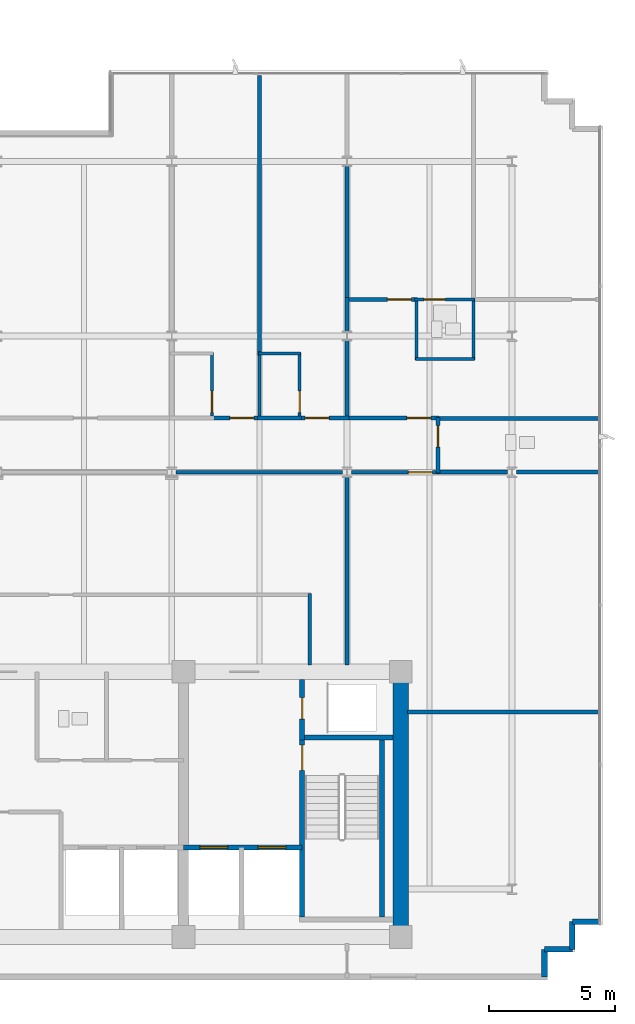
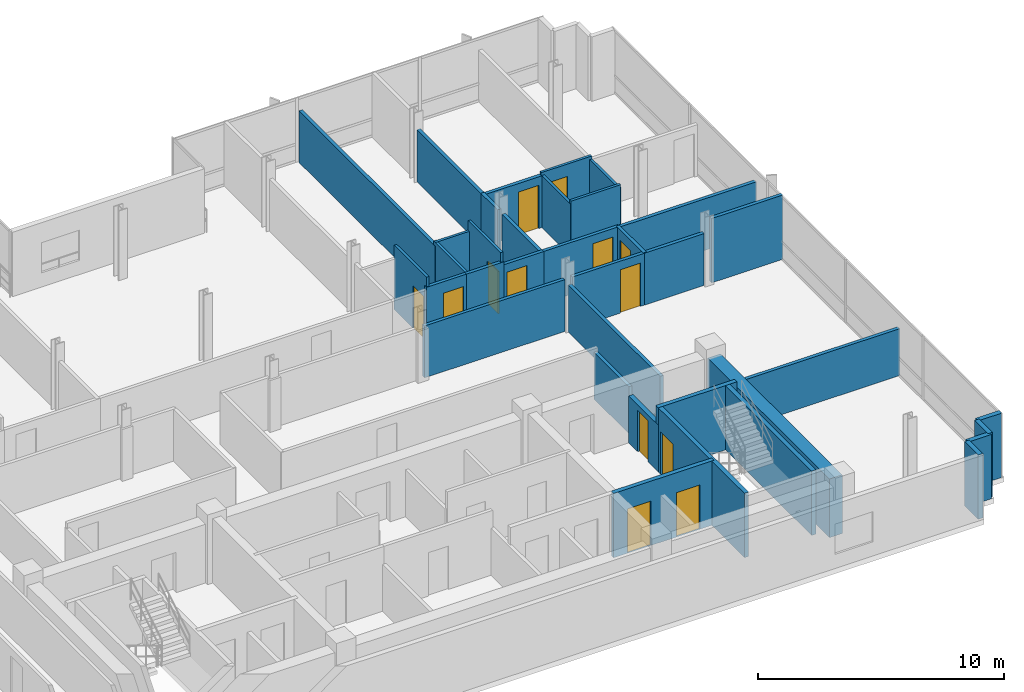
# One storey, part 13 of 17: 36 walls, 13 doors, 13 openings.
"""IFC4 building model written with IfcOpenShell, lengths in metres."""

from ifc_helpers import new_model, si_unit, direction, frame, frame_2d, origin, place, context, subcontext, project, spatial, rectangle, extrude, material, layer, layer_set, type_object, element, fill, save


model = new_model("IFC4")

# Units and contexts
model_context = context("Model", 3, precision=1e-05, world=origin(), true_north=direction((0.0, 1.0)))
body_context = subcontext(model_context, "Body", "Model", "MODEL_VIEW")
ifc_project = project(units=[si_unit("LENGTHUNIT", "METRE"), si_unit("AREAUNIT", "SQUARE_METRE"), si_unit("VOLUMEUNIT", "CUBIC_METRE"), si_unit("PLANEANGLEUNIT", "RADIAN"), si_unit("MASSUNIT", "GRAM", prefix="KILO")], contexts=[model_context])

# Site, building, storey
site_placement = place(None, origin())
site = spatial("IfcSite", under=ifc_project, at=site_placement, CompositionType="ELEMENT")
building_placement = place(site_placement, origin())
building = spatial("IfcBuilding", under=site, at=building_placement, Name="Solmavex Isthmus Hotel", CompositionType="ELEMENT")
storey_placement = place(building_placement, frame((0.0, 0.0, 269.550048828125)))
storey = spatial("IfcBuildingStorey", under=building, at=storey_placement, Name="L73", CompositionType="ELEMENT", Elevation=269.550048828125)

# Walls
ifc_material_1 = material(Name="Precast Concrete C40/50", Category="concrete")
ifc_layer_1 = layer(ifc_material_1, 0.25)
ifc_layer_set_1 = layer_set([ifc_layer_1], Name="Precast Concrete C40/50")
wall_type_1 = type_object("IfcWallType", Name="EW-TWR-250", PredefinedType="STANDARD", material=ifc_layer_set_1)
wall_1_placement = place(storey_placement, frame((23.889892578125, -12.389892578125, 0.0), z_axis=(0.0, 0.0, 1.0), x_axis=(-1.0, 0.0, 0.0)))
element("IfcWall", 1, at=wall_1_placement, inside=storey, type_object=wall_type_1, Name="Serrated Corner Facade Panel L73-16", PredefinedType="STANDARD", context=body_context, shape_type="SweptSolid", body=[
    extrude(rectangle(XDim=1.099853515625, YDim=0.219970703125, at=frame_2d((0.5498046875, 0.0))), origin(), (0.0, 0.0, 1.0), 3.18994140625),
])
for number, where, z_axis, x_axis, name in (
    (2, (22.7900390625, -12.389892578125, 0.0), (0.0, 0.0, 1.0), (0.0, -1.0, 0.0), "Serrated Corner Facade Panel L73-17"),
    (3, (22.7900390625, -13.489990234375, 0.0), (0.0, 0.0, 1.0), (-1.0, 0.0, 0.0), "Serrated Corner Facade Panel L73-18"),
    (4, (21.68994140625, -13.489990234375, 0.0), (0.0, 0.0, 1.0), (0.0, -1.0, 0.0), "Serrated Corner Facade Panel L73-19"),
):
    element("IfcWall", number, at=place(storey_placement, frame(where, z_axis=z_axis, x_axis=x_axis)), inside=storey, type_object=wall_type_1, Name=name, PredefinedType="STANDARD", context=body_context, shape_type="SweptSolid", body=[
        extrude(rectangle(XDim=1.10009765625, YDim=0.219970703125, at=frame_2d((0.550048828125, 0.0))), origin(), (0.0, 0.0, 1.0), 3.18994140625),
    ])
ifc_material_2 = material(Name="Gypsum plasterboard lining", Category="gypsum")
ifc_layer_2 = layer(ifc_material_2, 0.159912109375)
ifc_layer_set_2 = layer_set([ifc_layer_2], Name="Gypsum plasterboard lining")
wall_type_2 = type_object("IfcWallType", Name="IW-COMP-160", PredefinedType="PARTITIONING", material=ifc_layer_set_2)
wall_2_placement = place(storey_placement, frame((10.404052734375, 21.10009765625, 0.0), z_axis=(0.0, 0.0, 1.0), x_axis=(0.0, -1.0, 0.0)))
element("IfcWall", 5, at=wall_2_placement, inside=storey, type_object=wall_type_2, Name="Interior Partition Wall W-L73-P047", PredefinedType="PARTITIONING", context=body_context, shape_type="SweptSolid", body=[
    extrude(rectangle(XDim=11.08203125, YDim=0.159912109375, at=frame_2d((5.541015625, 0.0))), origin(), (0.0, 0.0, 1.0), 2.557373046875),
])
wall_3_placement = place(storey_placement, frame((13.8720703125, 10.613037109375, 0.0), z_axis=(0.0, 0.0, 1.0), x_axis=(0.0, -1.0, 0.0)))
element("IfcWall", 6, at=wall_3_placement, inside=storey, type_object=wall_type_2, Name="Interior Partition Wall W-L73-P051", PredefinedType="PARTITIONING", context=body_context, shape_type="SweptSolid", body=[
    extrude(rectangle(XDim=3.10302734375, YDim=0.159912109375, at=frame_2d((1.551513671875, 0.0))), origin(), (0.0, 0.0, 1.0), 2.572265625),
])
wall_4_placement = place(storey_placement, frame((13.8720703125, 12.320068359375, 0.0), z_axis=(0.0, 0.0, 1.0), x_axis=(0.0, -1.0, 0.0)))
element("IfcWall", 7, at=wall_4_placement, inside=storey, type_object=wall_type_2, Name="Interior Partition Wall W-L73-P052", PredefinedType="PARTITIONING", context=body_context, shape_type="SweptSolid", body=[
    extrude(rectangle(XDim=1.357177734375, YDim=0.159912109375, at=frame_2d((0.6787109375, 0.0))), origin(), (0.0, 0.0, 1.0), 2.572265625),
])
wall_5_placement = place(storey_placement, frame((13.8720703125, 17.52490234375, 0.0), z_axis=(0.0, 0.0, 1.0), x_axis=(0.0, -1.0, 0.0)))
element("IfcWall", 8, at=wall_5_placement, inside=storey, type_object=wall_type_2, Name="Interior Partition Wall W-L73-P053", PredefinedType="PARTITIONING", context=body_context, shape_type="SweptSolid", body=[
    extrude(rectangle(XDim=5.368896484375, YDim=0.159912109375, at=frame_2d((2.6845703125, 0.0))), origin(), (0.0, 0.0, 1.0), 2.572265625),
])

# Wall, opening, door
wall_6_placement = place(storey_placement, frame((13.83203125, 12.238037109375, 0.0), z_axis=(0.0, 0.0, 1.0), x_axis=(1.0, 0.0, 0.0)))
wall_6 = element("IfcWall", 9, at=wall_6_placement, inside=storey, type_object=wall_type_2, Name="Interior Partition Wall W-L73-P055", PredefinedType="PARTITIONING", context=body_context, shape_type="SweptSolid", body=[
    extrude(rectangle(XDim=2.833984375, YDim=0.159912109375, at=frame_2d((1.4169921875, 0.0))), origin(), (0.0, 0.0, 1.0), 2.572265625),
])
opening_1_placement = place(wall_6_placement, frame((1.635986328125, 0.0, 0.0)))
opening_1 = element("IfcOpeningElement", 10, at=opening_1_placement, cuts=wall_6, Name="Opening ID-C095", PredefinedType="OPENING", context=body_context, shape_type="SweptSolid", body=[
    extrude(rectangle(XDim=0.949951171875, YDim=2.14990234375, at=frame_2d((0.47509765625, 1.074951171875))), frame((0.0, 0.08984375, 0.0), z_axis=(0.0, -1.0, 0.0), x_axis=(1.0, 0.0, 0.0)), (0.0, 0.0, 1.0), 0.179931640625),
])
ifc_material_3 = material(Name="Hardwood timber", Category="wood")
door_type_1 = type_object("IfcDoorType", Name="IDR-FD60-0950", OperationType="NOTDEFINED", PredefinedType="DOOR", material=ifc_material_3)
door_1_placement = place(opening_1_placement, origin())
door_1 = element("IfcDoor", 11, at=door_1_placement, inside=storey, type_object=door_type_1, Name="Ambassador Panorama Suite Master Bedroom Door L73-10", OperationType="SINGLE_SWING_RIGHT", OverallHeight=2.14990234375, OverallWidth=0.949951171875, PredefinedType="DOOR", context=body_context, shape_type="SweptSolid", body=[
    extrude(rectangle(XDim=0.949951171875, YDim=2.14990234375, at=frame_2d((0.47509765625, 1.074951171875))), frame((0.0, 0.02490234375, 0.0), z_axis=(0.0, -1.0, 0.0), x_axis=(1.0, 0.0, 0.0)), (0.0, 0.0, 1.0), 0.050048828125),
])
fill(opening_1, door_1)

# Walls
wall_7_placement = place(storey_placement, frame((23.919921875, 7.530029296875, 0.0), z_axis=(0.0, 0.0, 1.0), x_axis=(-1.0, 0.0, 0.0)))
element("IfcWall", 12, at=wall_7_placement, inside=storey, type_object=wall_type_2, Name="Interior Partition Wall W-L73-P060", PredefinedType="PARTITIONING", context=body_context, shape_type="SweptSolid", body=[
    extrude(rectangle(XDim=6.488037109375, YDim=0.159912109375, at=frame_2d((3.244140625, 0.0))), origin(), (0.0, 0.0, 1.0), 2.557373046875),
])
wall_8_placement = place(storey_placement, frame((20.22509765625, 5.39990234375, 0.0), z_axis=(0.0, 0.0, 1.0), x_axis=(-1.0, 0.0, 0.0)))
element("IfcWall", 13, at=wall_8_placement, inside=storey, type_object=wall_type_2, Name="Interior Partition Wall W-L73-P065", PredefinedType="PARTITIONING", context=body_context, shape_type="SweptSolid", body=[
    extrude(rectangle(XDim=2.793212890625, YDim=0.159912109375, at=frame_2d((1.396484375, 0.0))), origin(), (0.0, 0.0, 1.0), 2.572265625),
])
wall_9_placement = place(storey_placement, frame((23.919921875, 5.39990234375, 0.0), z_axis=(0.0, 0.0, 1.0), x_axis=(-1.0, 0.0, 0.0)))
element("IfcWall", 14, at=wall_9_placement, inside=storey, type_object=wall_type_2, Name="Interior Partition Wall W-L73-P066", PredefinedType="PARTITIONING", context=body_context, shape_type="SweptSolid", body=[
    extrude(rectangle(XDim=3.344970703125, YDim=0.159912109375, at=frame_2d((1.67236328125, 0.0))), origin(), (0.0, 0.0, 1.0), 3.18994140625),
])
wall_10_placement = place(storey_placement, frame((16.260009765625, -4.10009765625, 0.0), z_axis=(0.0, 0.0, 1.0), x_axis=(1.0, 0.0, 0.0)))
element("IfcWall", 15, at=wall_10_placement, inside=storey, type_object=wall_type_2, Name="Interior Partition Wall W-L73-P072", PredefinedType="PARTITIONING", context=body_context, shape_type="SweptSolid", body=[
    extrude(rectangle(XDim=7.659912109375, YDim=0.159912109375, at=frame_2d((3.830078125, 0.0))), origin(), (0.0, 0.0, 1.0), 2.324951171875),
])
wall_11_placement = place(storey_placement, frame((13.8720703125, 5.22509765625, 0.0), z_axis=(0.0, 0.0, 1.0), x_axis=(0.0, -1.0, 0.0)))
element("IfcWall", 16, at=wall_11_placement, inside=storey, type_object=wall_type_2, Name="Interior Partition Wall W-L73-P073", PredefinedType="PARTITIONING", context=body_context, shape_type="SweptSolid", body=[
    extrude(rectangle(XDim=7.465087890625, YDim=0.159912109375, at=frame_2d((3.732421875, 0.0))), origin(), (0.0, 0.0, 1.0), 2.324951171875),
])

# Wall, opening, door
ifc_layer_3 = layer(ifc_material_2, 0.14990234375)
ifc_layer_set_3 = layer_set([ifc_layer_3], Name="Gypsum plasterboard lining")
wall_type_3 = type_object("IfcWallType", Name="IW-CORR-150", PredefinedType="PARTITIONING", material=ifc_layer_set_3)
wall_12_placement = place(storey_placement, frame((8.44921875, 7.550048828125, 0.0), z_axis=(0.0, 0.0, 1.0), x_axis=(1.0, 0.0, 0.0)))
wall_12 = element("IfcWall", 17, at=wall_12_placement, inside=storey, type_object=wall_type_3, Name="Interior Partition Wall W-L73-P005", PredefinedType="PARTITIONING", context=body_context, shape_type="SweptSolid", body=[
    extrude(rectangle(XDim=2.036865234375, YDim=0.14990234375, at=frame_2d((1.0185546875, 0.0))), origin(), (0.0, 0.0, 1.0), 2.718017578125),
])
opening_2_placement = place(wall_12_placement, frame((0.789794921875, 0.0, 0.0)))
opening_2 = element("IfcOpeningElement", 18, at=opening_2_placement, cuts=wall_12, Name="Opening ID-C095", PredefinedType="OPENING", context=body_context, shape_type="SweptSolid", body=[
    extrude(rectangle(XDim=0.949951171875, YDim=2.14990234375, at=frame_2d((0.47509765625, 1.074951171875))), frame((0.0, 0.0849609375, 0.0), z_axis=(0.0, -1.0, 0.0), x_axis=(1.0, 0.0, 0.0)), (0.0, 0.0, 1.0), 0.169921875),
])
door_2_placement = place(opening_2_placement, origin())
door_2 = element("IfcDoor", 19, at=door_2_placement, inside=storey, type_object=door_type_1, Name="Diplomatic Suite Door L73-05", OperationType="SINGLE_SWING_LEFT", OverallHeight=2.14990234375, OverallWidth=0.949951171875, PredefinedType="DOOR", context=body_context, shape_type="SweptSolid", body=[
    extrude(rectangle(XDim=0.949951171875, YDim=2.14990234375, at=frame_2d((0.47509765625, 1.074951171875))), frame((0.0, 0.02490234375, 0.0), z_axis=(0.0, -1.0, 0.0), x_axis=(1.0, 0.0, 0.0)), (0.0, 0.0, 1.0), 0.050048828125),
])
fill(opening_2, door_2)

wall_13_placement = place(storey_placement, frame((11.917236328125, 7.550048828125, 0.0), z_axis=(0.0, 0.0, 1.0), x_axis=(1.0, 0.0, 0.0)))
wall_13 = element("IfcWall", 20, at=wall_13_placement, inside=storey, type_object=wall_type_3, Name="Interior Partition Wall W-L73-P007", PredefinedType="PARTITIONING", context=body_context, shape_type="SweptSolid", body=[
    extrude(rectangle(XDim=2.036865234375, YDim=0.14990234375, at=frame_2d((1.0185546875, 0.0))), origin(), (0.0, 0.0, 1.0), 2.572265625),
])
opening_3_placement = place(wall_13_placement, frame((0.296875, 0.0, 0.0)))
opening_3 = element("IfcOpeningElement", 21, at=opening_3_placement, cuts=wall_13, Name="Opening ID-C095", PredefinedType="OPENING", context=body_context, shape_type="SweptSolid", body=[
    extrude(rectangle(XDim=0.949951171875, YDim=2.14990234375, at=frame_2d((0.47509765625, 1.074951171875))), frame((0.0, 0.0849609375, 0.0), z_axis=(0.0, -1.0, 0.0), x_axis=(1.0, 0.0, 0.0)), (0.0, 0.0, 1.0), 0.169921875),
])
door_3_placement = place(opening_3_placement, origin())
door_3 = element("IfcDoor", 22, at=door_3_placement, inside=storey, type_object=door_type_1, Name="Ambassador Suite Door L73-07", OperationType="SINGLE_SWING_LEFT", OverallHeight=2.14990234375, OverallWidth=0.949951171875, PredefinedType="DOOR", context=body_context, shape_type="SweptSolid", body=[
    extrude(rectangle(XDim=0.949951171875, YDim=2.14990234375, at=frame_2d((0.47509765625, 1.074951171875))), frame((0.0, 0.02490234375, 0.0), z_axis=(0.0, -1.0, 0.0), x_axis=(1.0, 0.0, 0.0)), (0.0, 0.0, 1.0), 0.050048828125),
])
fill(opening_3, door_3)

# Wall
wall_14_placement = place(storey_placement, frame((10.322021484375, 7.550048828125, 0.0), z_axis=(0.0, 0.0, 1.0), x_axis=(1.0, 0.0, 0.0)))
element("IfcWall", 23, at=wall_14_placement, inside=storey, type_object=wall_type_3, Name="Interior Partition Wall W-L73-P008", PredefinedType="PARTITIONING", context=body_context, shape_type="SweptSolid", body=[
    extrude(rectangle(XDim=1.75927734375, YDim=0.14990234375, at=frame_2d((0.879638671875, 0.0))), origin(), (0.0, 0.0, 1.0), 2.718017578125),
])

# Wall, opening, door
wall_15_placement = place(storey_placement, frame((13.7900390625, 7.550048828125, 0.0), z_axis=(0.0, 0.0, 1.0), x_axis=(1.0, 0.0, 0.0)))
wall_15 = element("IfcWall", 24, at=wall_15_placement, inside=storey, type_object=wall_type_3, Name="Interior Partition Wall W-L73-P009", PredefinedType="PARTITIONING", context=body_context, shape_type="SweptSolid", body=[
    extrude(rectangle(XDim=3.721923828125, YDim=0.14990234375, at=frame_2d((1.86083984375, 0.0))), origin(), (0.0, 0.0, 1.0), 2.572265625),
])
opening_4_placement = place(wall_15_placement, frame((2.456787109375, 0.0, 0.0)))
opening_4 = element("IfcOpeningElement", 25, at=opening_4_placement, cuts=wall_15, Name="Opening ID-C095", PredefinedType="OPENING", context=body_context, shape_type="SweptSolid", body=[
    extrude(rectangle(XDim=0.949951171875, YDim=2.14990234375, at=frame_2d((0.47509765625, 1.074951171875))), frame((0.0, 0.0849609375, 0.0), z_axis=(0.0, -1.0, 0.0), x_axis=(1.0, 0.0, 0.0)), (0.0, 0.0, 1.0), 0.169921875),
])
door_4_placement = place(opening_4_placement, origin())
door_4 = element("IfcDoor", 26, at=door_4_placement, inside=storey, type_object=door_type_1, Name="Ambassador Panorama Suite Living Salon Door L73-09", OperationType="SINGLE_SWING_LEFT", OverallHeight=2.14990234375, OverallWidth=0.949951171875, PredefinedType="DOOR", context=body_context, shape_type="SweptSolid", body=[
    extrude(rectangle(XDim=0.949951171875, YDim=2.14990234375, at=frame_2d((0.47509765625, 1.074951171875))), frame((0.0, 0.02490234375, 0.0), z_axis=(0.0, -1.0, 0.0), x_axis=(1.0, 0.0, 0.0)), (0.0, 0.0, 1.0), 0.050048828125),
])
fill(opening_4, door_4)

wall_16_placement = place(storey_placement, frame((17.471923828125, 7.570068359375, 0.0), z_axis=(0.0, 0.0, 1.0), x_axis=(0.0, -1.0, 0.0)))
wall_16 = element("IfcWall", 27, at=wall_16_placement, inside=storey, type_object=wall_type_3, Name="Interior Partition Wall W-L73-P011", PredefinedType="PARTITIONING", context=body_context, shape_type="SweptSolid", body=[
    extrude(rectangle(XDim=2.2099609375, YDim=0.14990234375, at=frame_2d((1.10498046875, 0.0))), origin(), (0.0, 0.0, 1.0), 2.572265625),
])
opening_5_placement = place(wall_16_placement, frame((0.322265625, 0.0, 0.0)))
opening_5 = element("IfcOpeningElement", 28, at=opening_5_placement, cuts=wall_16, Name="Opening ID-R085", PredefinedType="OPENING", context=body_context, shape_type="SweptSolid", body=[
    extrude(rectangle(XDim=0.85009765625, YDim=2.050048828125, at=frame_2d((0.425048828125, 1.02490234375))), frame((0.0, 0.0849609375, 0.0), z_axis=(0.0, -1.0, 0.0), x_axis=(1.0, 0.0, 0.0)), (0.0, 0.0, 1.0), 0.169921875),
])
ifc_material_4 = material(Name="Steel ASTM A500 Grade C", Category="steel")
door_type_2 = type_object("IfcDoorType", Name="IDR-FD60-0850", OperationType="NOTDEFINED", PredefinedType="DOOR", material=ifc_material_4)
door_5_placement = place(opening_5_placement, frame((0.85009765625, 0.0, 0.0), z_axis=(0.0, 0.0, 1.0), x_axis=(-1.0, 0.0, 0.0)))
door_5 = element("IfcDoor", 29, at=door_5_placement, inside=storey, type_object=door_type_2, Name="Public Restroom WC Door L73-14", OperationType="SINGLE_SWING_RIGHT", OverallHeight=2.050048828125, OverallWidth=0.85009765625, PredefinedType="DOOR", context=body_context, shape_type="SweptSolid", body=[
    extrude(rectangle(XDim=0.85009765625, YDim=2.050048828125, at=frame_2d((0.425048828125, 1.02490234375))), frame((0.0, 0.02490234375, 0.0), z_axis=(0.0, -1.0, 0.0), x_axis=(1.0, 0.0, 0.0)), (0.0, 0.0, 1.0), 0.050048828125),
])
fill(opening_5, door_5)

# Walls
wall_17_placement = place(storey_placement, frame((13.697021484375, 5.39990234375, 0.0), z_axis=(0.0, 0.0, 1.0), x_axis=(-1.0, 0.0, 0.0)))
element("IfcWall", 30, at=wall_17_placement, inside=storey, type_object=wall_type_3, Name="Interior Partition Wall W-L73-P024", PredefinedType="PARTITIONING", context=body_context, shape_type="SweptSolid", body=[
    extrude(rectangle(XDim=6.5859375, YDim=0.14990234375, at=frame_2d((3.29296875, 0.0))), origin(), (0.0, 0.0, 1.0), 2.572265625),
])
wall_18_placement = place(storey_placement, frame((12.39990234375, 0.590087890625, 0.0), z_axis=(0.0, 0.0, 1.0), x_axis=(0.0, -1.0, 0.0)))
element("IfcWall", 31, at=wall_18_placement, inside=storey, type_object=wall_type_3, Name="Interior Partition Wall W-L73-P031", PredefinedType="PARTITIONING", context=body_context, shape_type="SweptSolid", body=[
    extrude(rectangle(XDim=2.830078125, YDim=0.14990234375, at=frame_2d((1.4150390625, 0.0))), origin(), (0.0, 0.0, 1.0), 2.324951171875),
])

# Wall, opening, door
wall_19_placement = place(storey_placement, frame((17.511962890625, 5.39990234375, 0.0), z_axis=(0.0, 0.0, 1.0), x_axis=(-1.0, 0.0, 0.0)))
wall_19 = element("IfcWall", 32, at=wall_19_placement, inside=storey, type_object=wall_type_3, Name="Interior Partition Wall W-L73-P032", PredefinedType="PARTITIONING", context=body_context, shape_type="SweptSolid", body=[
    extrude(rectangle(XDim=3.46484375, YDim=0.14990234375, at=frame_2d((1.732421875, 0.0))), origin(), (0.0, 0.0, 1.0), 2.572265625),
])
opening_6_placement = place(wall_19_placement, frame((0.26220703125, 0.0, 0.0)))
opening_6 = element("IfcOpeningElement", 33, at=opening_6_placement, cuts=wall_19, Name="Opening ID-C095", PredefinedType="OPENING", context=body_context, shape_type="SweptSolid", body=[
    extrude(rectangle(XDim=0.949951171875, YDim=2.14990234375, at=frame_2d((0.47509765625, 1.074951171875))), frame((0.0, 0.0849609375, 0.0), z_axis=(0.0, -1.0, 0.0), x_axis=(1.0, 0.0, 0.0)), (0.0, 0.0, 1.0), 0.169921875),
])
door_6_placement = place(opening_6_placement, origin())
door_6 = element("IfcDoor", 34, at=door_6_placement, inside=storey, type_object=door_type_1, Name="Executive Boardroom Door L73-23", OperationType="SINGLE_SWING_LEFT", OverallHeight=2.14990234375, OverallWidth=0.949951171875, PredefinedType="DOOR", context=body_context, shape_type="SweptSolid", body=[
    extrude(rectangle(XDim=0.949951171875, YDim=2.14990234375, at=frame_2d((0.47509765625, 1.074951171875))), frame((0.0, 0.02490234375, 0.0), z_axis=(0.0, -1.0, 0.0), x_axis=(1.0, 0.0, 0.0)), (0.0, 0.0, 1.0), 0.050048828125),
])
fill(opening_6, door_6)

ifc_layer_4 = layer(ifc_material_2, 0.1201171875)
ifc_layer_set_4 = layer_set([ifc_layer_4], Name="Gypsum plasterboard lining")
wall_type_4 = type_object("IfcWallType", Name="IW-PART-120", PredefinedType="PARTITIONING", material=ifc_layer_set_4)
wall_20_placement = place(storey_placement, frame((8.53125, 7.510009765625, 0.0), z_axis=(0.0, 0.0, 1.0), x_axis=(0.0, 1.0, 0.0)))
wall_20 = element("IfcWall", 35, at=wall_20_placement, inside=storey, type_object=wall_type_4, Name="Interior Partition Wall W-L73-P045", PredefinedType="PARTITIONING", context=body_context, shape_type="SweptSolid", body=[
    extrude(rectangle(XDim=2.6298828125, YDim=0.1201171875, at=frame_2d((1.31494140625, 0.0))), origin(), (0.0, 0.0, 1.0), 3.18994140625),
])
opening_7_placement = place(wall_20_placement, frame((0.247314453125, 0.0, 0.0)))
opening_7 = element("IfcOpeningElement", 36, at=opening_7_placement, cuts=wall_20, Name="Opening ID-U085", PredefinedType="OPENING", context=body_context, shape_type="SweptSolid", body=[
    extrude(rectangle(XDim=0.85009765625, YDim=2.10009765625, at=frame_2d((0.425048828125, 1.050048828125))), frame((0.0, 0.070068359375, 0.0), z_axis=(0.0, -1.0, 0.0), x_axis=(1.0, 0.0, 0.0)), (0.0, 0.0, 1.0), 0.14013671875),
])
door_type_3 = type_object("IfcDoorType", Name="IDR-UNR-0850", OperationType="NOTDEFINED", PredefinedType="DOOR", material=ifc_material_3)
door_7_placement = place(opening_7_placement, frame((0.85009765625, 0.0, 0.0), z_axis=(0.0, 0.0, 1.0), x_axis=(-1.0, 0.0, 0.0)))
door_7 = element("IfcDoor", 37, at=door_7_placement, inside=storey, type_object=door_type_3, Name="En-suite Bathroom Door L73-06", OperationType="SINGLE_SWING_RIGHT", OverallHeight=2.10009765625, OverallWidth=0.85009765625, PredefinedType="DOOR", context=body_context, shape_type="SweptSolid", body=[
    extrude(rectangle(XDim=0.85009765625, YDim=2.10009765625, at=frame_2d((0.425048828125, 1.050048828125))), frame((0.0, 0.02490234375, 0.0), z_axis=(0.0, -1.0, 0.0), x_axis=(1.0, 0.0, 0.0)), (0.0, 0.0, 1.0), 0.050048828125),
])
fill(opening_7, door_7)

# Wall
wall_21_placement = place(storey_placement, frame((10.404052734375, 10.181884765625, 0.0), z_axis=(0.0, 0.0, 1.0), x_axis=(0.0, -1.0, 0.0)))
element("IfcWall", 38, at=wall_21_placement, inside=storey, type_object=wall_type_4, Name="Interior Partition Wall W-L73-P048", PredefinedType="PARTITIONING", context=body_context, shape_type="SweptSolid", body=[
    extrude(rectangle(XDim=2.671875, YDim=0.1201171875, at=frame_2d((1.3359375, 0.0))), origin(), (0.0, 0.0, 1.0), 2.718017578125),
])

# Wall, opening, door
wall_22_placement = place(storey_placement, frame((11.999267578125, 7.510009765625, 0.0), z_axis=(0.0, 0.0, 1.0), x_axis=(0.0, 1.0, 0.0)))
wall_22 = element("IfcWall", 39, at=wall_22_placement, inside=storey, type_object=wall_type_4, Name="Interior Partition Wall W-L73-P049", PredefinedType="PARTITIONING", context=body_context, shape_type="SweptSolid", body=[
    extrude(rectangle(XDim=2.6298828125, YDim=0.1201171875, at=frame_2d((1.31494140625, 0.0))), origin(), (0.0, 0.0, 1.0), 3.18994140625),
])
opening_8_placement = place(wall_22_placement, frame((0.247314453125, 0.0, 0.0)))
opening_8 = element("IfcOpeningElement", 40, at=opening_8_placement, cuts=wall_22, Name="Opening ID-U085", PredefinedType="OPENING", context=body_context, shape_type="SweptSolid", body=[
    extrude(rectangle(XDim=0.85009765625, YDim=2.10009765625, at=frame_2d((0.425048828125, 1.050048828125))), frame((0.0, 0.070068359375, 0.0), z_axis=(0.0, -1.0, 0.0), x_axis=(1.0, 0.0, 0.0)), (0.0, 0.0, 1.0), 0.14013671875),
])
door_8_placement = place(opening_8_placement, origin())
door_8 = element("IfcDoor", 41, at=door_8_placement, inside=storey, type_object=door_type_3, Name="En-suite Bathroom Door L73-08", OperationType="SINGLE_SWING_RIGHT", OverallHeight=2.10009765625, OverallWidth=0.85009765625, PredefinedType="DOOR", context=body_context, shape_type="SweptSolid", body=[
    extrude(rectangle(XDim=0.85009765625, YDim=2.10009765625, at=frame_2d((0.425048828125, 1.050048828125))), frame((0.0, 0.02490234375, 0.0), z_axis=(0.0, -1.0, 0.0), x_axis=(1.0, 0.0, 0.0)), (0.0, 0.0, 1.0), 0.050048828125),
])
fill(opening_8, door_8)

# Walls
wall_23_placement = place(storey_placement, frame((12.039306640625, 10.10009765625, 0.0), z_axis=(0.0, 0.0, 1.0), x_axis=(-1.0, 0.0, 0.0)))
element("IfcWall", 42, at=wall_23_placement, inside=storey, type_object=wall_type_4, Name="Interior Partition Wall W-L73-P050", PredefinedType="PARTITIONING", context=body_context, shape_type="SweptSolid", body=[
    extrude(rectangle(XDim=1.67529296875, YDim=0.1201171875, at=frame_2d((0.837646484375, 0.0))), origin(), (0.0, 0.0, 1.0), 2.718017578125),
])
wall_24_placement = place(storey_placement, frame((16.6259765625, 12.278076171875, 0.0), z_axis=(0.0, 0.0, 1.0), x_axis=(0.0, -1.0, 0.0)))
element("IfcWall", 43, at=wall_24_placement, inside=storey, type_object=wall_type_4, Name="Interior Partition Wall W-L73-P057", PredefinedType="PARTITIONING", context=body_context, shape_type="SweptSolid", body=[
    extrude(rectangle(XDim=2.43017578125, YDim=0.1201171875, at=frame_2d((1.215087890625, 0.0))), origin(), (0.0, 0.0, 1.0), 2.572265625),
])
wall_25_placement = place(storey_placement, frame((16.5859375, 9.887939453125, 0.0), z_axis=(0.0, 0.0, 1.0), x_axis=(1.0, 0.0, 0.0)))
element("IfcWall", 44, at=wall_25_placement, inside=storey, type_object=wall_type_4, Name="Interior Partition Wall W-L73-P058", PredefinedType="PARTITIONING", context=body_context, shape_type="SweptSolid", body=[
    extrude(rectangle(XDim=2.330078125, YDim=0.1201171875, at=frame_2d((1.1650390625, 0.0))), origin(), (0.0, 0.0, 1.0), 2.718017578125),
])
wall_26_placement = place(storey_placement, frame((18.8759765625, 9.847900390625, 0.0), z_axis=(0.0, 0.0, 1.0), x_axis=(0.0, 1.0, 0.0)))
element("IfcWall", 45, at=wall_26_placement, inside=storey, type_object=wall_type_4, Name="Interior Partition Wall W-L73-P059", PredefinedType="PARTITIONING", context=body_context, shape_type="SweptSolid", body=[
    extrude(rectangle(XDim=2.43017578125, YDim=0.1201171875, at=frame_2d((1.215087890625, 0.0))), origin(), (0.0, 0.0, 1.0), 2.572265625),
])

# Wall, opening, door
wall_27_placement = place(storey_placement, frame((18.916015625, 12.238037109375, 0.0), z_axis=(0.0, 0.0, 1.0), x_axis=(-1.0, 0.0, 0.0)))
wall_27 = element("IfcWall", 46, at=wall_27_placement, inside=storey, type_object=wall_type_4, Name="Interior Partition Wall W-L73-P062", PredefinedType="PARTITIONING", context=body_context, shape_type="SweptSolid", body=[
    extrude(rectangle(XDim=2.3720703125, YDim=0.1201171875, at=frame_2d((1.18603515625, 0.0))), origin(), (0.0, 0.0, 1.0), 2.718017578125),
])
opening_9_placement = place(wall_27_placement, frame((1.14599609375, 0.0, 0.0)))
opening_9 = element("IfcOpeningElement", 47, at=opening_9_placement, cuts=wall_27, Name="Opening ID-U085", PredefinedType="OPENING", context=body_context, shape_type="SweptSolid", body=[
    extrude(rectangle(XDim=0.85009765625, YDim=2.10009765625, at=frame_2d((0.425048828125, 1.050048828125))), frame((0.0, 0.070068359375, 0.0), z_axis=(0.0, -1.0, 0.0), x_axis=(1.0, 0.0, 0.0)), (0.0, 0.0, 1.0), 0.14013671875),
])
door_9_placement = place(opening_9_placement, frame((0.85009765625, 0.0, 0.0), z_axis=(0.0, 0.0, 1.0), x_axis=(-1.0, 0.0, 0.0)))
door_9 = element("IfcDoor", 48, at=door_9_placement, inside=storey, type_object=door_type_3, Name="En-suite Bathroom Door L73-12", OperationType="SINGLE_SWING_RIGHT", OverallHeight=2.10009765625, OverallWidth=0.85009765625, PredefinedType="DOOR", context=body_context, shape_type="SweptSolid", body=[
    extrude(rectangle(XDim=0.85009765625, YDim=2.10009765625, at=frame_2d((0.425048828125, 1.050048828125))), frame((0.0, 0.02490234375, 0.0), z_axis=(0.0, -1.0, 0.0), x_axis=(1.0, 0.0, 0.0)), (0.0, 0.0, 1.0), 0.050048828125),
])
fill(opening_9, door_9)

ifc_material_5 = material(Name="Concrete C40/50", Category="concrete")
ifc_layer_5 = layer(ifc_material_5, 0.199951171875)
ifc_layer_set_5 = layer_set([ifc_layer_5], Name="Concrete C40/50")
wall_type_5 = type_object("IfcWallType", Name="IW-SHAFT-200", PredefinedType="PARTITIONING", material=ifc_layer_set_5)
wall_28_placement = place(storey_placement, frame((12.10009765625, -5.199951171875, 0.0), z_axis=(0.0, 0.0, 1.0), x_axis=(0.0, 1.0, 0.0)))
wall_28 = element("IfcWall", 49, at=wall_28_placement, inside=storey, type_object=wall_type_5, Name="Interior Partition Wall W-L73-RSE-W", PredefinedType="PARTITIONING", context=body_context, shape_type="SweptSolid", body=[
    extrude(rectangle(XDim=2.39990234375, YDim=0.199951171875, at=frame_2d((1.199951171875, 0.0))), origin(), (0.0, 0.0, 1.0), 2.324951171875),
])
opening_10_placement = place(wall_28_placement, frame((0.824951171875, 0.0, 0.0)))
opening_10 = element("IfcOpeningElement", 50, at=opening_10_placement, cuts=wall_28, Name="Opening ID-R085", PredefinedType="OPENING", context=body_context, shape_type="SweptSolid", body=[
    extrude(rectangle(XDim=0.85009765625, YDim=2.050048828125, at=frame_2d((0.425048828125, 1.02490234375))), frame((0.0, 0.10986328125, 0.0), z_axis=(0.0, -1.0, 0.0), x_axis=(1.0, 0.0, 0.0)), (0.0, 0.0, 1.0), 0.219970703125),
])
door_10_placement = place(opening_10_placement, frame((0.85009765625, 0.0, 0.0), z_axis=(0.0, 0.0, 1.0), x_axis=(-1.0, 0.0, 0.0)))
door_10 = element("IfcDoor", 51, at=door_10_placement, inside=storey, type_object=door_type_2, Name="Mechanical Riser Door L73", OperationType="SINGLE_SWING_LEFT", OverallHeight=2.050048828125, OverallWidth=0.85009765625, PredefinedType="DOOR", context=body_context, shape_type="SweptSolid", body=[
    extrude(rectangle(XDim=0.85009765625, YDim=2.050048828125, at=frame_2d((0.425048828125, 1.02490234375))), frame((0.0, 0.02490234375, 0.0), z_axis=(0.0, -1.0, 0.0), x_axis=(1.0, 0.0, 0.0)), (0.0, 0.0, 1.0), 0.050048828125),
])
fill(opening_10, door_10)

# Wall, openings, doors
wall_29_placement = place(storey_placement, frame((7.39990234375, -9.449951171875, 0.0), z_axis=(0.0, 0.0, 1.0), x_axis=(1.0, 0.0, 0.0)))
wall_29 = element("IfcWall", 52, at=wall_29_placement, inside=storey, type_object=wall_type_5, Name="Interior Partition Wall W-L73-FFLE-S", PredefinedType="PARTITIONING", context=body_context, shape_type="SweptSolid", body=[
    extrude(rectangle(XDim=4.7001953125, YDim=0.199951171875, at=frame_2d((2.35009765625, 0.0))), origin(), (0.0, 0.0, 1.0), 3.18994140625),
])
opening_11_placement = place(wall_29_placement, frame((2.949951171875, 0.0, 0.0)))
opening_11 = element("IfcOpeningElement", 53, at=opening_11_placement, cuts=wall_29, Name="Opening LD-FF", PredefinedType="OPENING", context=body_context, shape_type="SweptSolid", body=[
    extrude(rectangle(XDim=1.10009765625, YDim=2.199951171875, at=frame_2d((0.550048828125, 1.10009765625))), frame((0.0, 0.10986328125, 0.0), z_axis=(0.0, -1.0, 0.0), x_axis=(1.0, 0.0, 0.0)), (0.0, 0.0, 1.0), 0.219970703125),
])
opening_12_placement = place(wall_29_placement, frame((0.64990234375, 0.0, 0.0)))
opening_12 = element("IfcOpeningElement", 54, at=opening_12_placement, cuts=wall_29, Name="Opening LD-SV", PredefinedType="OPENING", context=body_context, shape_type="SweptSolid", body=[
    extrude(rectangle(XDim=1.10009765625, YDim=2.199951171875, at=frame_2d((0.550048828125, 1.10009765625))), frame((0.0, 0.10986328125, 0.0), z_axis=(0.0, -1.0, 0.0), x_axis=(1.0, 0.0, 0.0)), (0.0, 0.0, 1.0), 0.219970703125),
])
ifc_material_6 = material(Name="Stainless steel 316", Category="steel")
door_type_4 = type_object("IfcDoorType", Name="LDR-FF-1100", OperationType="NOTDEFINED", PredefinedType="DOOR", material=ifc_material_6)
door_11_placement = place(opening_11_placement, origin())
door_11 = element("IfcDoor", 55, at=door_11_placement, inside=storey, type_object=door_type_4, Name="Lift Landing Door FFL-2 L73", OperationType="SLIDING_TO_LEFT", OverallHeight=2.199951171875, OverallWidth=1.10009765625, PredefinedType="DOOR", context=body_context, shape_type="SweptSolid", body=[
    extrude(rectangle(XDim=1.10009765625, YDim=2.199951171875, at=frame_2d((0.550048828125, 1.10009765625))), frame((0.0, 0.02490234375, 0.0), z_axis=(0.0, -1.0, 0.0), x_axis=(1.0, 0.0, 0.0)), (0.0, 0.0, 1.0), 0.050048828125),
])
fill(opening_11, door_11)
door_type_5 = type_object("IfcDoorType", Name="LDR-SV-1100", OperationType="NOTDEFINED", PredefinedType="DOOR", material=ifc_material_6)
door_12_placement = place(opening_12_placement, origin())
door_12 = element("IfcDoor", 56, at=door_12_placement, inside=storey, type_object=door_type_5, Name="Lift Landing Door SVL-2 L73", OperationType="SLIDING_TO_RIGHT", OverallHeight=2.199951171875, OverallWidth=1.10009765625, PredefinedType="DOOR", context=body_context, shape_type="SweptSolid", body=[
    extrude(rectangle(XDim=1.10009765625, YDim=2.199951171875, at=frame_2d((0.550048828125, 1.10009765625))), frame((0.0, 0.02490234375, 0.0), z_axis=(0.0, -1.0, 0.0), x_axis=(1.0, 0.0, 0.0)), (0.0, 0.0, 1.0), 0.050048828125),
])
fill(opening_12, door_12)

# Walls
ifc_material_7 = material(Name="Concrete C50/60", Category="concrete")
ifc_layer_6 = layer(ifc_material_7, 0.60009765625)
ifc_layer_set_6 = layer_set([ifc_layer_6], Name="Concrete C50/60")
wall_type_6 = type_object("IfcWallType", Name="WALL-CW-600", PredefinedType="SHEAR", material=ifc_layer_set_6)
wall_30_placement = place(storey_placement, frame((16.0, -12.699951171875, 0.0), z_axis=(0.0, 0.0, 1.0), x_axis=(0.0, 1.0, 0.0)))
element("IfcWall", 57, at=wall_30_placement, inside=storey, type_object=wall_type_6, Name="Core Shear Wall East L73", PredefinedType="SHEAR", context=body_context, shape_type="SweptSolid", body=[
    extrude(rectangle(XDim=9.89990234375, YDim=0.60009765625, at=frame_2d((4.949951171875, 0.0))), origin(), (0.0, 0.0, 1.0), 2.909912109375),
])
ifc_layer_7 = layer(ifc_material_5, 0.199951171875)
ifc_layer_set_7 = layer_set([ifc_layer_7], Name="Concrete C40/50")
wall_type_7 = type_object("IfcWallType", Name="WALL-SW-200", PredefinedType="SOLIDWALL", material=ifc_layer_set_7)
wall_31_placement = place(storey_placement, frame((12.0, -5.10009765625, 0.0), z_axis=(0.0, 0.0, 1.0), x_axis=(1.0, 0.0, 0.0)))
element("IfcWall", 58, at=wall_31_placement, inside=storey, type_object=wall_type_7, Name="Stairwell Structural Wall SW-L73-ST2-N", PredefinedType="SOLIDWALL", context=body_context, shape_type="SweptSolid", body=[
    extrude(rectangle(XDim=3.699951171875, YDim=0.199951171875, at=frame_2d((1.85009765625, 0.0))), origin(), (0.0, 0.0, 1.0), 3.18994140625),
])

# Wall, opening, door
wall_32_placement = place(storey_placement, frame((12.10009765625, -12.199951171875, 0.0), z_axis=(0.0, 0.0, 1.0), x_axis=(0.0, 1.0, 0.0)))
wall_32 = element("IfcWall", 59, at=wall_32_placement, inside=storey, type_object=wall_type_7, Name="Stairwell Structural Wall SW-L73-ST2-W", PredefinedType="SOLIDWALL", context=body_context, shape_type="SweptSolid", body=[
    extrude(rectangle(XDim=7.0, YDim=0.199951171875, at=frame_2d((3.5, 0.0))), origin(), (0.0, 0.0, 1.0), 3.18994140625),
])
opening_13_placement = place(wall_32_placement, frame((5.800048828125, 0.0, 0.0)))
opening_13 = element("IfcOpeningElement", 60, at=opening_13_placement, cuts=wall_32, Name="Opening ID-F100", PredefinedType="OPENING", context=body_context, shape_type="SweptSolid", body=[
    extrude(rectangle(XDim=1.0, YDim=2.10009765625, at=frame_2d((0.5, 1.050048828125))), frame((0.0, 0.10986328125, 0.0), z_axis=(0.0, -1.0, 0.0), x_axis=(1.0, 0.0, 0.0)), (0.0, 0.0, 1.0), 0.219970703125),
])
door_type_6 = type_object("IfcDoorType", Name="IDR-FD90-1000", OperationType="NOTDEFINED", PredefinedType="DOOR", material=ifc_material_4)
door_13_placement = place(opening_13_placement, origin())
door_13 = element("IfcDoor", 61, at=door_13_placement, inside=storey, type_object=door_type_6, Name="Stair ST-2 Fire Door L73", OperationType="SINGLE_SWING_RIGHT", OverallHeight=2.10009765625, OverallWidth=1.0, PredefinedType="DOOR", context=body_context, shape_type="SweptSolid", body=[
    extrude(rectangle(XDim=1.0, YDim=2.10009765625, at=frame_2d((0.5, 1.050048828125))), frame((0.0, 0.02490234375, 0.0), z_axis=(0.0, -1.0, 0.0), x_axis=(1.0, 0.0, 0.0)), (0.0, 0.0, 1.0), 0.050048828125),
])
fill(opening_13, door_13)

# Wall
wall_33_placement = place(storey_placement, frame((15.25, -12.199951171875, 0.0), z_axis=(0.0, 0.0, 1.0), x_axis=(0.0, 1.0, 0.0)))
element("IfcWall", 62, at=wall_33_placement, inside=storey, type_object=wall_type_7, Name="Stairwell Structural Wall SW-L73-ST2-E", PredefinedType="SOLIDWALL", context=body_context, shape_type="SweptSolid", body=[
    extrude(rectangle(XDim=7.0, YDim=0.199951171875, at=frame_2d((3.5, 0.0))), origin(), (0.0, 0.0, 1.0), 3.18994140625),
])

save(model, "model.ifc")
